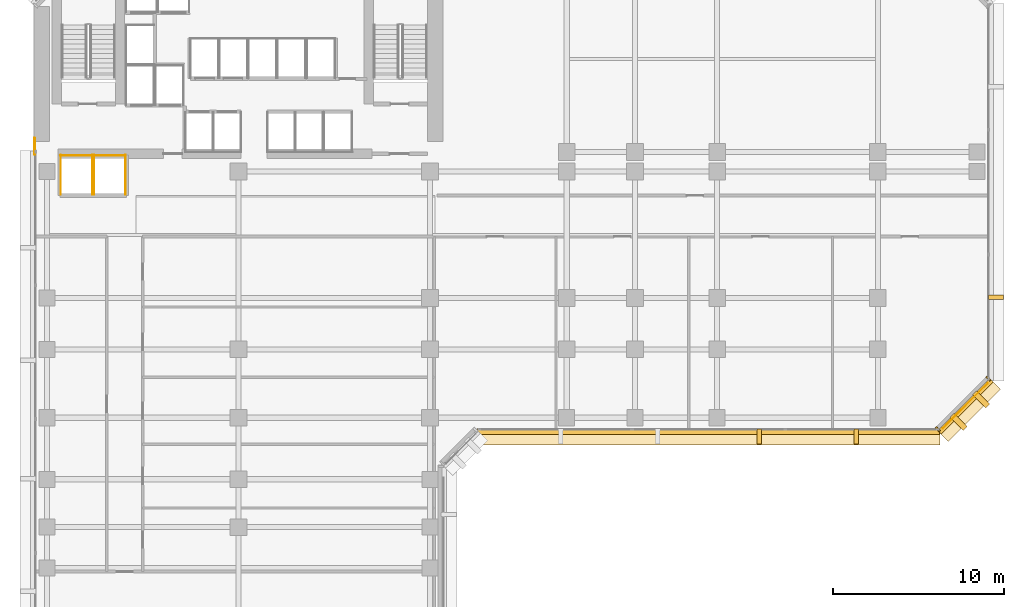
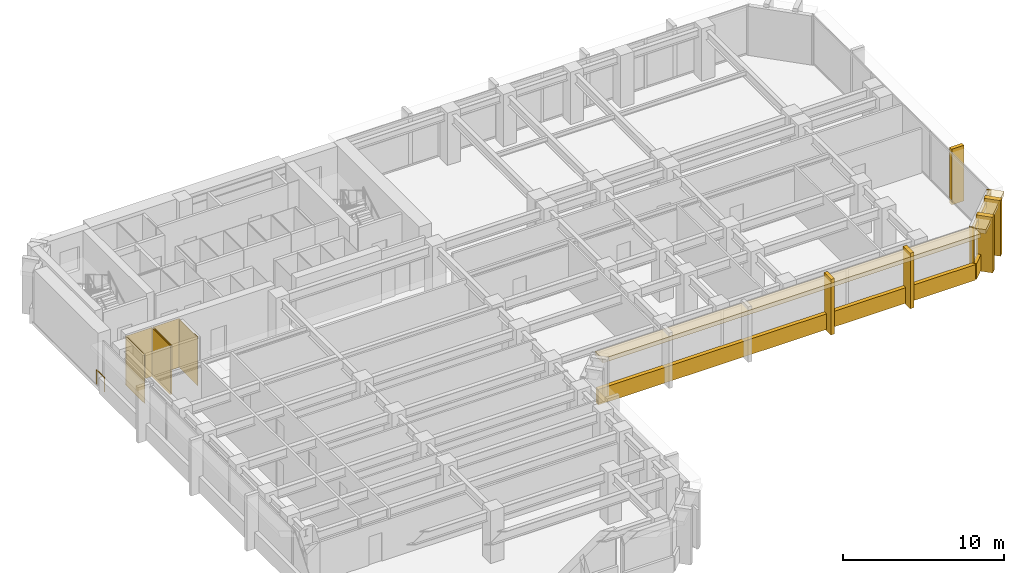
# One storey, part 10 of 13: 18 coverings, 1 railing.
"""IFC4 building model written with IfcOpenShell, lengths in metres."""

import ifcopenshell
import ifcopenshell.guid

model = None  # the IFC model being written
_history = None  # IfcOwnerHistory: only IFC2X3 demands one
_inside = {}  # id of a spatial element -> (the spatial element, [elements in it])
_under = {}  # id of a project, library or spatial element -> (it, [spatial elements below it])
_declared = {}  # id of a project -> (the project, [libraries it declares])
_typed = {}  # id of a type object -> (the type object, [elements of that type])
_made_of = {}  # id of a material, layer set ... -> (it, [elements and type objects made of it])


def new_model(schema):
    """Start an empty IFC model of exactly this schema.

    Asked for "IFC4X3", IfcOpenShell would pick the latest addendum, in which some entities
    have other attributes; the version numbers below select the first issue.
    IFC2X3 requires an IfcOwnerHistory on every rooted entity: one is made here for all.
    """
    global model, _history
    if schema == "IFC4X3":
        model = ifcopenshell.file(schema_version=(4, 3, 0, 0))
    else:
        model = ifcopenshell.file(schema=schema)
    _inside.clear()
    _under.clear()
    _declared.clear()
    _typed.clear()
    _made_of.clear()
    _history = None
    if model.schema == "IFC2X3":
        org = make("IfcOrganization", Name="unknown")
        user = make(
            "IfcPersonAndOrganization",
            ThePerson=make("IfcPerson", FamilyName="unknown"),
            TheOrganization=org,
        )
        app = make(
            "IfcApplication",
            ApplicationDeveloper=org,
            Version="unknown",
            ApplicationFullName="unknown",
            ApplicationIdentifier="unknown",
        )
        _history = make(
            "IfcOwnerHistory",
            OwningUser=user,
            OwningApplication=app,
            ChangeAction="ADDED",
            CreationDate=0,
        )
    return model


def make(cls, **values):
    """One entity of the class cls with the attributes given. An attribute that is None is left unset."""
    return model.create_entity(
        cls, **{name: value for name, value in values.items() if value is not None}
    )


def rooted(cls, **values):
    """An entity with a GlobalId (a new one), such as an element, a storey or a relation."""
    return make(cls, GlobalId=ifcopenshell.guid.new(), OwnerHistory=_history, **values)


def si_unit(unit_type, name, prefix=None):
    """IfcSIUnit, for example si_unit("LENGTHUNIT", "METRE", prefix="MILLI")."""
    return make("IfcSIUnit", UnitType=unit_type, Prefix=prefix, Name=name)


def assignment(units):
    """IfcUnitAssignment: the units of a project."""
    return None if units is None else make("IfcUnitAssignment", Units=units)


def point(xyz):
    """IfcCartesianPoint."""
    return None if xyz is None else make("IfcCartesianPoint", Coordinates=xyz)


def direction(xyz):
    """IfcDirection."""
    return None if xyz is None else make("IfcDirection", DirectionRatios=xyz)


def frame(location, z_axis=None, x_axis=None):
    """IfcAxis2Placement3D, a coordinate frame: its origin and axes. An axis left out is left unset."""
    return make(
        "IfcAxis2Placement3D",
        Location=point(location),
        Axis=direction(z_axis),
        RefDirection=direction(x_axis),
    )


def frame_2d(location, x_axis=None):
    """IfcAxis2Placement2D, a coordinate frame in the plane: its origin and x axis."""
    return make(
        "IfcAxis2Placement2D", Location=point(location), RefDirection=direction(x_axis)
    )


def origin():
    """The frame at (0, 0, 0) with its axes left unset."""
    return frame((0.0, 0.0, 0.0))


def origin_2d():
    """The frame at (0, 0) in the plane with its x axis left unset."""
    return frame_2d((0.0, 0.0))


def place(relative_to, where):
    """IfcLocalPlacement: puts the frame where relative to a parent placement (None: the world)."""
    return make(
        "IfcLocalPlacement", PlacementRelTo=relative_to, RelativePlacement=where
    )


def context(
    kind, dimensions, precision=None, world=None, true_north=None, identifier=None
):
    """IfcGeometricRepresentationContext, for example the 3D "Model" context."""
    return make(
        "IfcGeometricRepresentationContext",
        ContextIdentifier=identifier,
        ContextType=kind,
        CoordinateSpaceDimension=dimensions,
        Precision=precision,
        WorldCoordinateSystem=world,
        TrueNorth=true_north,
    )


def subcontext(parent, identifier, kind, view, scale=None):
    """IfcGeometricRepresentationSubContext, for example "Body" below "Model"."""
    return make(
        "IfcGeometricRepresentationSubContext",
        ContextIdentifier=identifier,
        ContextType=kind,
        ParentContext=parent,
        TargetScale=scale,
        TargetView=view,
    )


def project(units=None, contexts=None):
    """IfcProject with its units and contexts."""
    return rooted(
        "IfcProject",
        Name="project",
        RepresentationContexts=contexts,
        UnitsInContext=assignment(units),
    )


def spatial(cls, under=None, at=None, **own):
    """A site, building, storey or space (cls), placed at a placement, below another one or the project."""
    s = rooted(cls, ObjectPlacement=at, **own)
    if under is not None:
        _under.setdefault(under.id(), (under, []))[1].append(s)
    return s


def polyline(points):
    """IfcPolyline through the points."""
    return make("IfcPolyline", Points=[point(p) for p in points])


def profile(cls, at=None, kind="AREA", **sizes):
    """A parametric profile (cls). Its sizes go by their IFC names, for example OverallWidth=200.0."""
    return make(cls, ProfileType=kind, Position=at, **sizes)


def rectangle(**sizes):
    """IfcRectangleProfileDef."""
    return profile("IfcRectangleProfileDef", **sizes)


def circle(**sizes):
    """IfcCircleProfileDef."""
    return profile("IfcCircleProfileDef", **sizes)


def outline(outer, holes=None, kind="AREA"):
    """IfcArbitraryClosedProfileDef: a profile drawn as a closed curve; with holes, ...WithVoids."""
    if holes is None:
        return make("IfcArbitraryClosedProfileDef", ProfileType=kind, OuterCurve=outer)
    return make(
        "IfcArbitraryProfileDefWithVoids",
        ProfileType=kind,
        OuterCurve=outer,
        InnerCurves=holes,
    )


def extrude(swept, where, along, depth):
    """IfcExtrudedAreaSolid: the profile swept, set in the frame where, extruded along a direction by depth."""
    return make(
        "IfcExtrudedAreaSolid",
        SweptArea=swept,
        Position=where,
        ExtrudedDirection=direction(along),
        Depth=depth,
    )


def shape(context_of_items, identifier, shape_type, items):
    """IfcShapeRepresentation: the items that make up one representation, for example the "Body"."""
    return make(
        "IfcShapeRepresentation",
        ContextOfItems=context_of_items,
        RepresentationIdentifier=identifier,
        RepresentationType=shape_type,
        Items=items,
    )


def material(Name=None, Category=None):
    """IfcMaterial."""
    return make("IfcMaterial", Name=Name, Category=Category)


def layer(
    of_material, thickness, ventilated=None, Name=None, Category=None, Priority=None
):
    """IfcMaterialLayer: one layer of a wall or slab, of a material (None: an air gap)."""
    return make(
        "IfcMaterialLayer",
        Material=of_material,
        LayerThickness=thickness,
        IsVentilated=ventilated,
        Name=Name,
        Category=Category,
        Priority=Priority,
    )


def layer_set(layers, Name=None):
    """IfcMaterialLayerSet."""
    return make("IfcMaterialLayerSet", MaterialLayers=layers, LayerSetName=Name)


def made_of(thing, what):
    """Note that an element or type object is made of a material, layer set ...; save() writes the relation."""
    if what is not None:
        _made_of.setdefault(what.id(), (what, []))[1].append(thing)
    return thing


def type_object(cls, material=None, **own):
    """A type object (cls), such as IfcWallType, which elements share."""
    return made_of(rooted(cls, **own), material)


def element(
    cls,
    number,
    at=None,
    inside=None,
    cuts=None,
    type_object=None,
    material=None,
    context=None,
    identifier="Body",
    shape_type=None,
    held_by="IfcProductDefinitionShape",
    body=None,
    shapes=None,
    **own,
):
    """One element of the class cls, such as IfcWall. Its Tag is "e" and its number.

    at: its placement. inside: the storey or other place that contains it. cuts: it is an
    opening in that element (IfcRelVoidsElement). A single representation is given by context,
    identifier, shape_type and body (its items); several are given by shapes. held_by: the class
    of the entity that holds the representations. save() writes the other relations.
    """
    e = rooted(cls, Tag="e%d" % number, ObjectPlacement=at, **own)
    if body is not None:
        shapes = [shape(context, identifier, shape_type, body)]
    if shapes is not None:
        e.Representation = make(held_by, Representations=shapes)
    if inside is not None:
        _inside.setdefault(inside.id(), (inside, []))[1].append(e)
    if cuts is not None:
        rooted(
            "IfcRelVoidsElement", RelatingBuildingElement=cuts, RelatedOpeningElement=e
        )
    if type_object is not None:
        _typed.setdefault(type_object.id(), (type_object, []))[1].append(e)
    return made_of(e, material)


def aggregate(whole, parts):
    """IfcRelAggregates: a whole, such as a stair, and the parts it consists of."""
    return rooted("IfcRelAggregates", RelatingObject=whole, RelatedObjects=parts)


def save(model, path):
    """Write the relations noted so far, then the file.

    IfcRelAggregates (storeys below a building ...), IfcRelContainedInSpatialStructure (elements
    in a storey), IfcRelDefinesByType, IfcRelAssociatesMaterial and IfcRelDeclares: one each for
    every whole, place, type object, material and project.
    """
    for whole, parts in _under.values():
        aggregate(whole, parts)
    for where, things in _inside.values():
        rooted(
            "IfcRelContainedInSpatialStructure",
            RelatedElements=things,
            RelatingStructure=where,
        )
    for kind, things in _typed.values():
        rooted("IfcRelDefinesByType", RelatedObjects=things, RelatingType=kind)
    for what, things in _made_of.values():
        rooted("IfcRelAssociatesMaterial", RelatedObjects=things, RelatingMaterial=what)
    for by, libraries in _declared.values():
        rooted("IfcRelDeclares", RelatingContext=by, RelatedDefinitions=libraries)
    model.write(path)


model = new_model("IFC4")

# Units and contexts
model_context = context("Model", 3, precision=1e-05, world=origin(), true_north=direction((0.0, 1.0)))
body_context = subcontext(model_context, "Body", "Model", "MODEL_VIEW")
ifc_project = project(units=[si_unit("LENGTHUNIT", "METRE"), si_unit("AREAUNIT", "SQUARE_METRE"), si_unit("VOLUMEUNIT", "CUBIC_METRE"), si_unit("PLANEANGLEUNIT", "RADIAN"), si_unit("MASSUNIT", "GRAM", prefix="KILO")], contexts=[model_context])

# Site, building, storey
site_placement = place(None, origin())
site = spatial("IfcSite", under=ifc_project, at=site_placement, CompositionType="ELEMENT")
building_placement = place(site_placement, origin())
building = spatial("IfcBuilding", under=site, at=building_placement, Name="Kefirva Bronze Tower", CompositionType="ELEMENT")
storey_placement = place(building_placement, frame((0.0, 0.0, 77.8798828125)))
storey = spatial("IfcBuildingStorey", under=building, at=storey_placement, Name="L18", CompositionType="ELEMENT", Elevation=77.8798828125)

# Coverings
ifc_material_1 = material(Name="Bronze anodised aluminium", Category="aluminium")
ifc_layer_1 = layer(ifc_material_1, 0.02001953125, Name="Bronze anodised aluminium")
ifc_layer_set_1 = layer_set([ifc_layer_1], Name="Bronze anodised aluminium")
covering_type_1 = type_object("IfcCoveringType", Name="Anodised Bronze Spandrel Cladding 20mm", PredefinedType="CLADDING", material=ifc_layer_set_1)
covering_1_placement = place(storey_placement, frame((39.5, 17.9599609375, -0.15966796875), z_axis=(0.0, 0.0, 1.0), x_axis=(1.0, 0.0, 0.0)))
element("IfcCovering", 1, at=covering_1_placement, inside=storey, type_object=covering_type_1, Name="L18 Streamline Horizontal Spandrel Band 8", PredefinedType="CLADDING", context=body_context, shape_type="SweptSolid", body=[
    extrude(rectangle(XDim=27.0400390625, YDim=0.280029296875, at=origin_2d()), origin(), (0.0, 0.0, 1.0), 1.179931640625),
])
covering_2_placement = place(storey_placement, frame((54.507080078125, 19.492919921875, 3.290283203125), z_axis=(0.0, 0.0, 1.0), x_axis=(0.707106781187, 0.707106781187, 0.0)))
element("IfcCovering", 2, at=covering_2_placement, inside=storey, type_object=covering_type_1, Name="L18 Bronze Spandrel Cladding 7", PredefinedType="CLADDING", context=body_context, shape_type="SweptSolid", body=[
    extrude(rectangle(XDim=3.719482421875, YDim=0.02001953125, at=origin_2d()), origin(), (0.0, 0.0, 1.0), 0.39990234375),
])
for number, where, z_axis, x_axis, name in (
    (3, (52.91162109375, 18.137939453125, 0.000244140625), (0.0, 0.0, 1.0), (0.707106781187, 0.707106781187, 0.0), "L18 Facade Joint Closure Panel 7S"),
    (4, (55.862060546875, 21.08837890625, 0.000244140625), (0.0, 0.0, 1.0), (0.707106781187, 0.707106781187, 0.0), "L18 Facade Joint Closure Panel 7E"),
):
    element("IfcCovering", number, at=place(storey_placement, frame(where, z_axis=z_axis, x_axis=x_axis)), inside=storey, type_object=covering_type_1, Name=name, PredefinedType="CLADDING", context=body_context, shape_type="SweptSolid", body=[
        extrude(rectangle(XDim=0.10009765625, YDim=0.320068359375, at=origin_2d()), origin(), (0.0, 0.0, 1.0), 3.7099609375),
    ])
covering_3_placement = place(storey_placement, frame((54.5283203125, 19.4716796875, -0.15966796875), z_axis=(0.0, 0.0, 1.0), x_axis=(0.707106781187, 0.707106781187, 0.0)))
element("IfcCovering", 5, at=covering_3_placement, inside=storey, type_object=covering_type_1, Name="L18 Streamline Horizontal Spandrel Band 9", PredefinedType="CLADDING", context=body_context, shape_type="SweptSolid", body=[
    extrude(rectangle(XDim=4.28271484375, YDim=0.280029296875, at=origin_2d()), origin(), (0.0, 0.0, 1.0), 1.179931640625),
])
covering_4_placement = place(storey_placement, origin())
element("IfcCovering", 6, at=covering_4_placement, inside=storey, type_object=covering_type_1, Name="L18 Lift OB1 Hoistway Liner N", PredefinedType="CLADDING", context=body_context, shape_type="SweptSolid", body=[
    extrude(outline(polyline([(1.580078125, 34.139892578125), (3.469970703125, 34.139892578125), (3.469970703125, 34.159912109375), (1.580078125, 34.159912109375), (1.580078125, 34.139892578125)])), origin(), (0.0, 0.0, 1.0), 3.710205078125),
])
covering_5_placement = place(storey_placement, origin())
element("IfcCovering", 7, at=covering_5_placement, inside=storey, type_object=covering_type_1, Name="L18 Lift OB1 Hoistway Liner W", PredefinedType="CLADDING", context=body_context, shape_type="SweptSolid", body=[
    extrude(outline(polyline([(1.590087890625, 31.830078125), (1.610107421875, 31.830078125), (1.610107421875, 34.169921875), (1.590087890625, 34.169921875), (1.590087890625, 31.830078125)])), origin(), (0.0, 0.0, 1.0), 3.710205078125),
])
covering_6_placement = place(storey_placement, origin())
element("IfcCovering", 8, at=covering_6_placement, inside=storey, type_object=covering_type_1, Name="L18 Lift OB1 Hoistway Liner E", PredefinedType="CLADDING", context=body_context, shape_type="SweptSolid", body=[
    extrude(outline(polyline([(3.43994140625, 31.830078125), (3.4599609375, 31.830078125), (3.4599609375, 34.169921875), (3.43994140625, 34.169921875), (3.43994140625, 31.830078125)])), origin(), (0.0, 0.0, 1.0), 3.710205078125),
])
covering_7_placement = place(storey_placement, origin())
element("IfcCovering", 9, at=covering_7_placement, inside=storey, type_object=covering_type_1, Name="L18 Lift OB2 Hoistway Liner N", PredefinedType="CLADDING", context=body_context, shape_type="SweptSolid", body=[
    extrude(outline(polyline([(3.530029296875, 34.139892578125), (5.419921875, 34.139892578125), (5.419921875, 34.159912109375), (3.530029296875, 34.159912109375), (3.530029296875, 34.139892578125)])), origin(), (0.0, 0.0, 1.0), 3.710205078125),
])
covering_8_placement = place(storey_placement, origin())
element("IfcCovering", 10, at=covering_8_placement, inside=storey, type_object=covering_type_1, Name="L18 Lift OB2 Hoistway Liner W", PredefinedType="CLADDING", context=body_context, shape_type="SweptSolid", body=[
    extrude(outline(polyline([(3.5400390625, 31.830078125), (3.56005859375, 31.830078125), (3.56005859375, 34.169921875), (3.5400390625, 34.169921875), (3.5400390625, 31.830078125)])), origin(), (0.0, 0.0, 1.0), 3.710205078125),
])
covering_9_placement = place(storey_placement, origin())
element("IfcCovering", 11, at=covering_9_placement, inside=storey, type_object=covering_type_1, Name="L18 Lift OB2 Hoistway Liner E", PredefinedType="CLADDING", context=body_context, shape_type="SweptSolid", body=[
    extrude(outline(polyline([(5.389892578125, 31.830078125), (5.409912109375, 31.830078125), (5.409912109375, 34.169921875), (5.389892578125, 34.169921875), (5.389892578125, 31.830078125)])), origin(), (0.0, 0.0, 1.0), 3.710205078125),
])

# Railing
ifc_material_2 = material(Name="Stainless steel 316", Category="steel")
railing_type = type_object("IfcRailingType", Name="Interior Stair Guardrail 1100mm", PredefinedType="GUARDRAIL", material=ifc_material_2)
railing_placement = place(storey_placement, frame((0.080078125, 34.199951171875, 0.0)))
element("IfcRailing", 12, at=railing_placement, inside=storey, type_object=railing_type, Name="L18 West Core Junction Guardrail", PredefinedType="GUARDRAIL", context=body_context, shape_type="SweptSolid", body=[
    extrude(circle(Radius=0.02392578125, at=origin_2d()), frame((0.0, 0.0, 1.076171875), z_axis=(0.0, 1.0, 0.0), x_axis=(-1.0, 0.0, 0.0)), (0.0, 0.0, 1.0), 0.949951171875),
    extrude(circle(Radius=0.02099609375, at=origin_2d()), origin(), (0.0, 0.0, 1.0), 1.052001953125),
    extrude(circle(Radius=0.02099609375, at=origin_2d()), frame((0.0, 0.949951171875, 0.0)), (0.0, 0.0, 1.0), 1.052001953125),
])

# Coverings
ifc_layer_2 = layer(ifc_material_1, 0.179931640625, Name="Bronze anodised aluminium")
ifc_layer_set_2 = layer_set([ifc_layer_2], Name="Bronze anodised aluminium")
covering_type_2 = type_object("IfcCoveringType", Name="Streamline Bronze Sunshade Eyebrow Cladding 180mm", PredefinedType="CLADDING", material=ifc_layer_set_2)
covering_10_placement = place(storey_placement, frame((39.5, 17.68994140625, 3.39013671875), z_axis=(0.0, 0.0, 1.0), x_axis=(1.0, 0.0, 0.0)))
element("IfcCovering", 13, at=covering_10_placement, inside=storey, type_object=covering_type_2, Name="L18 Streamline Bronze Sunshade Eyebrow 8", PredefinedType="CLADDING", context=body_context, shape_type="SweptSolid", body=[
    extrude(rectangle(XDim=27.080078125, YDim=0.93994140625, at=origin_2d()), origin(), (0.0, 0.0, 1.0), 0.320068359375),
])
covering_11_placement = place(storey_placement, frame((54.71923828125, 19.28076171875, 3.39013671875), z_axis=(0.0, 0.0, 1.0), x_axis=(0.707106781187, 0.707106781187, 0.0)))
element("IfcCovering", 14, at=covering_11_placement, inside=storey, type_object=covering_type_2, Name="L18 Streamline Bronze Sunshade Eyebrow 9", PredefinedType="CLADDING", context=body_context, shape_type="SweptSolid", body=[
    extrude(rectangle(XDim=4.322509765625, YDim=0.93994140625, at=origin_2d()), origin(), (0.0, 0.0, 1.0), 0.320068359375),
])
ifc_layer_3 = layer(ifc_material_1, 0.260009765625, Name="Bronze anodised aluminium")
ifc_layer_set_3 = layer_set([ifc_layer_3], Name="Bronze anodised aluminium")
covering_type_3 = type_object("IfcCoveringType", Name="Unbroken Bronze Buttress Fin Cladding 260mm", PredefinedType="CLADDING", material=ifc_layer_set_3)
for number, where, z_axis, x_axis, name in (
    (15, (42.469970703125, 17.699951171875, -0.249755859375), (0.0, 0.0, 1.0), (1.0, 0.0, 0.0), "L18 Unbroken Vertical Bronze Rib Fin 11"),
    (16, (48.139892578125, 17.699951171875, -0.249755859375), (0.0, 0.0, 1.0), (1.0, 0.0, 0.0), "L18 Unbroken Vertical Bronze Rib Fin 12"),
):
    element("IfcCovering", number, at=place(storey_placement, frame(where, z_axis=z_axis, x_axis=x_axis)), inside=storey, type_object=covering_type_3, Name=name, PredefinedType="CLADDING", context=body_context, shape_type="SweptSolid", body=[
        extrude(rectangle(XDim=0.260009765625, YDim=0.8798828125, at=origin_2d()), origin(), (0.0, 0.0, 1.0), 4.2099609375),
    ])
for number, where, z_axis, x_axis, name in (
    (17, (54.122802734375, 18.55712890625, -0.249755859375), (0.0, 0.0, 1.0), (0.707106781187, 0.707106781187, 0.0), "L18 Chamfered Corner Buttress Fin Cladding 13"),
    (18, (55.44287109375, 19.877197265625, -0.249755859375), (0.0, 0.0, 1.0), (0.707106781187, 0.707106781187, 0.0), "L18 Chamfered Corner Buttress Fin Cladding 14"),
):
    element("IfcCovering", number, at=place(storey_placement, frame(where, z_axis=z_axis, x_axis=x_axis)), inside=storey, type_object=covering_type_3, Name=name, PredefinedType="CLADDING", context=body_context, shape_type="SweptSolid", body=[
        extrude(rectangle(XDim=0.340087890625, YDim=1.080078125, at=origin_2d()), origin(), (0.0, 0.0, 1.0), 4.2099609375),
    ])
covering_12_placement = place(storey_placement, frame((56.300048828125, 25.840087890625, -0.249755859375), z_axis=(0.0, 0.0, 1.0), x_axis=(0.0, 1.0, 0.0)))
element("IfcCovering", 19, at=covering_12_placement, inside=storey, type_object=covering_type_3, Name="L18 Unbroken Vertical Bronze Rib Fin 15", PredefinedType="CLADDING", context=body_context, shape_type="SweptSolid", body=[
    extrude(rectangle(XDim=0.260009765625, YDim=0.8798828125, at=origin_2d()), origin(), (0.0, 0.0, 1.0), 4.2099609375),
])

save(model, "model.ifc")
